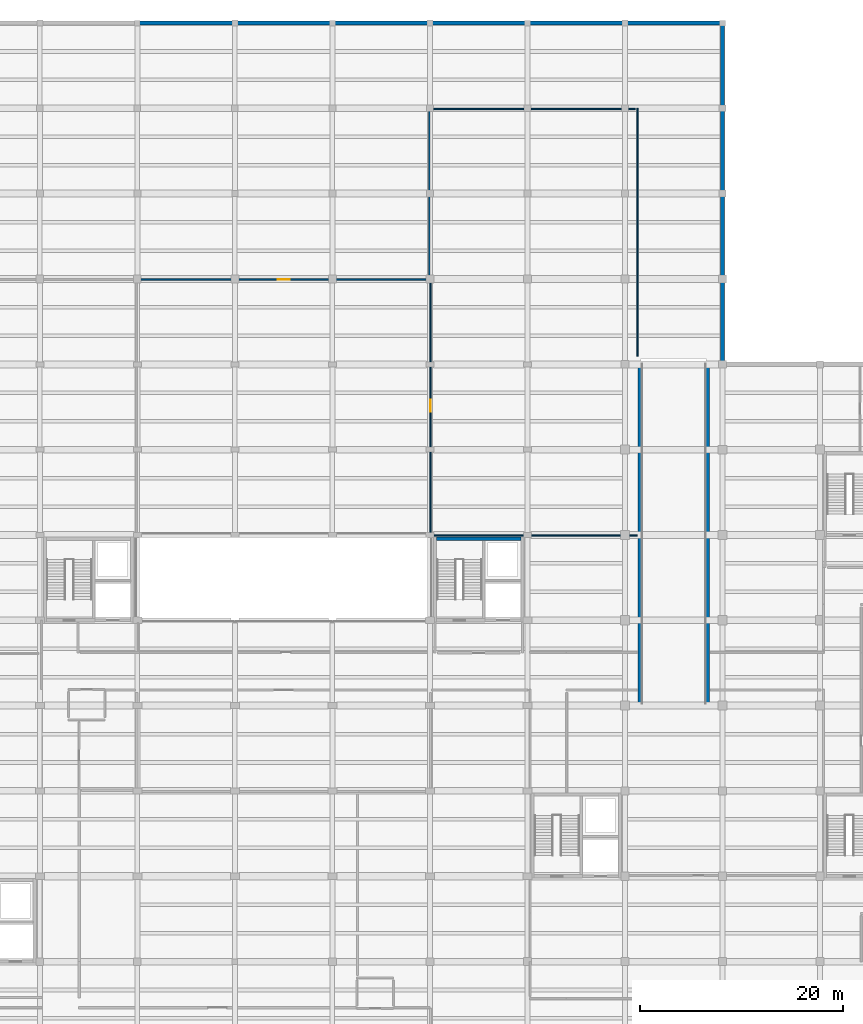
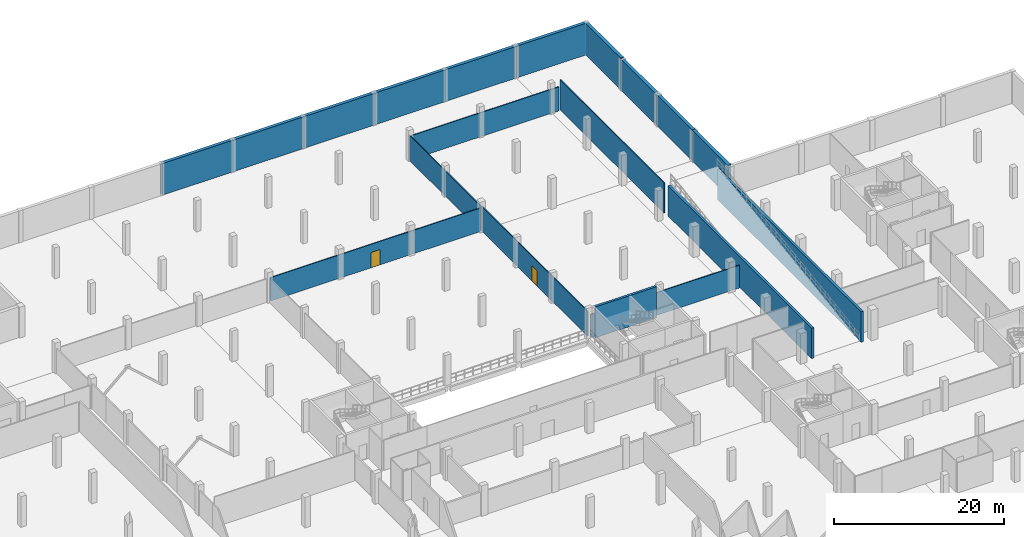
# One storey, part 22 of 30: 19 walls, 2 doors, 2 openings.
"""IFC4 building model written with IfcOpenShell, lengths in metres."""

import ifcopenshell
import ifcopenshell.guid

model = None  # the IFC model being written
_history = None  # IfcOwnerHistory: only IFC2X3 demands one
_inside = {}  # id of a spatial element -> (the spatial element, [elements in it])
_under = {}  # id of a project, library or spatial element -> (it, [spatial elements below it])
_declared = {}  # id of a project -> (the project, [libraries it declares])
_typed = {}  # id of a type object -> (the type object, [elements of that type])
_made_of = {}  # id of a material, layer set ... -> (it, [elements and type objects made of it])


def new_model(schema):
    """Start an empty IFC model of exactly this schema.

    Asked for "IFC4X3", IfcOpenShell would pick the latest addendum, in which some entities
    have other attributes; the version numbers below select the first issue.
    IFC2X3 requires an IfcOwnerHistory on every rooted entity: one is made here for all.
    """
    global model, _history
    if schema == "IFC4X3":
        model = ifcopenshell.file(schema_version=(4, 3, 0, 0))
    else:
        model = ifcopenshell.file(schema=schema)
    _inside.clear()
    _under.clear()
    _declared.clear()
    _typed.clear()
    _made_of.clear()
    _history = None
    if model.schema == "IFC2X3":
        org = make("IfcOrganization", Name="unknown")
        user = make(
            "IfcPersonAndOrganization",
            ThePerson=make("IfcPerson", FamilyName="unknown"),
            TheOrganization=org,
        )
        app = make(
            "IfcApplication",
            ApplicationDeveloper=org,
            Version="unknown",
            ApplicationFullName="unknown",
            ApplicationIdentifier="unknown",
        )
        _history = make(
            "IfcOwnerHistory",
            OwningUser=user,
            OwningApplication=app,
            ChangeAction="ADDED",
            CreationDate=0,
        )
    return model


def make(cls, **values):
    """One entity of the class cls with the attributes given. An attribute that is None is left unset."""
    return model.create_entity(
        cls, **{name: value for name, value in values.items() if value is not None}
    )


def rooted(cls, **values):
    """An entity with a GlobalId (a new one), such as an element, a storey or a relation."""
    return make(cls, GlobalId=ifcopenshell.guid.new(), OwnerHistory=_history, **values)


def si_unit(unit_type, name, prefix=None):
    """IfcSIUnit, for example si_unit("LENGTHUNIT", "METRE", prefix="MILLI")."""
    return make("IfcSIUnit", UnitType=unit_type, Prefix=prefix, Name=name)


def assignment(units):
    """IfcUnitAssignment: the units of a project."""
    return None if units is None else make("IfcUnitAssignment", Units=units)


def point(xyz):
    """IfcCartesianPoint."""
    return None if xyz is None else make("IfcCartesianPoint", Coordinates=xyz)


def direction(xyz):
    """IfcDirection."""
    return None if xyz is None else make("IfcDirection", DirectionRatios=xyz)


def frame(location, z_axis=None, x_axis=None):
    """IfcAxis2Placement3D, a coordinate frame: its origin and axes. An axis left out is left unset."""
    return make(
        "IfcAxis2Placement3D",
        Location=point(location),
        Axis=direction(z_axis),
        RefDirection=direction(x_axis),
    )


def frame_2d(location, x_axis=None):
    """IfcAxis2Placement2D, a coordinate frame in the plane: its origin and x axis."""
    return make(
        "IfcAxis2Placement2D", Location=point(location), RefDirection=direction(x_axis)
    )


def origin():
    """The frame at (0, 0, 0) with its axes left unset."""
    return frame((0.0, 0.0, 0.0))


def place(relative_to, where):
    """IfcLocalPlacement: puts the frame where relative to a parent placement (None: the world)."""
    return make(
        "IfcLocalPlacement", PlacementRelTo=relative_to, RelativePlacement=where
    )


def context(
    kind, dimensions, precision=None, world=None, true_north=None, identifier=None
):
    """IfcGeometricRepresentationContext, for example the 3D "Model" context."""
    return make(
        "IfcGeometricRepresentationContext",
        ContextIdentifier=identifier,
        ContextType=kind,
        CoordinateSpaceDimension=dimensions,
        Precision=precision,
        WorldCoordinateSystem=world,
        TrueNorth=true_north,
    )


def subcontext(parent, identifier, kind, view, scale=None):
    """IfcGeometricRepresentationSubContext, for example "Body" below "Model"."""
    return make(
        "IfcGeometricRepresentationSubContext",
        ContextIdentifier=identifier,
        ContextType=kind,
        ParentContext=parent,
        TargetScale=scale,
        TargetView=view,
    )


def project(units=None, contexts=None):
    """IfcProject with its units and contexts."""
    return rooted(
        "IfcProject",
        Name="project",
        RepresentationContexts=contexts,
        UnitsInContext=assignment(units),
    )


def spatial(cls, under=None, at=None, **own):
    """A site, building, storey or space (cls), placed at a placement, below another one or the project."""
    s = rooted(cls, ObjectPlacement=at, **own)
    if under is not None:
        _under.setdefault(under.id(), (under, []))[1].append(s)
    return s


def profile(cls, at=None, kind="AREA", **sizes):
    """A parametric profile (cls). Its sizes go by their IFC names, for example OverallWidth=200.0."""
    return make(cls, ProfileType=kind, Position=at, **sizes)


def rectangle(**sizes):
    """IfcRectangleProfileDef."""
    return profile("IfcRectangleProfileDef", **sizes)


def extrude(swept, where, along, depth):
    """IfcExtrudedAreaSolid: the profile swept, set in the frame where, extruded along a direction by depth."""
    return make(
        "IfcExtrudedAreaSolid",
        SweptArea=swept,
        Position=where,
        ExtrudedDirection=direction(along),
        Depth=depth,
    )


def shape(context_of_items, identifier, shape_type, items):
    """IfcShapeRepresentation: the items that make up one representation, for example the "Body"."""
    return make(
        "IfcShapeRepresentation",
        ContextOfItems=context_of_items,
        RepresentationIdentifier=identifier,
        RepresentationType=shape_type,
        Items=items,
    )


def material(Name=None, Category=None):
    """IfcMaterial."""
    return make("IfcMaterial", Name=Name, Category=Category)


def layer(
    of_material, thickness, ventilated=None, Name=None, Category=None, Priority=None
):
    """IfcMaterialLayer: one layer of a wall or slab, of a material (None: an air gap)."""
    return make(
        "IfcMaterialLayer",
        Material=of_material,
        LayerThickness=thickness,
        IsVentilated=ventilated,
        Name=Name,
        Category=Category,
        Priority=Priority,
    )


def layer_set(layers, Name=None):
    """IfcMaterialLayerSet."""
    return make("IfcMaterialLayerSet", MaterialLayers=layers, LayerSetName=Name)


def made_of(thing, what):
    """Note that an element or type object is made of a material, layer set ...; save() writes the relation."""
    if what is not None:
        _made_of.setdefault(what.id(), (what, []))[1].append(thing)
    return thing


def type_object(cls, material=None, **own):
    """A type object (cls), such as IfcWallType, which elements share."""
    return made_of(rooted(cls, **own), material)


def element(
    cls,
    number,
    at=None,
    inside=None,
    cuts=None,
    type_object=None,
    material=None,
    context=None,
    identifier="Body",
    shape_type=None,
    held_by="IfcProductDefinitionShape",
    body=None,
    shapes=None,
    **own,
):
    """One element of the class cls, such as IfcWall. Its Tag is "e" and its number.

    at: its placement. inside: the storey or other place that contains it. cuts: it is an
    opening in that element (IfcRelVoidsElement). A single representation is given by context,
    identifier, shape_type and body (its items); several are given by shapes. held_by: the class
    of the entity that holds the representations. save() writes the other relations.
    """
    e = rooted(cls, Tag="e%d" % number, ObjectPlacement=at, **own)
    if body is not None:
        shapes = [shape(context, identifier, shape_type, body)]
    if shapes is not None:
        e.Representation = make(held_by, Representations=shapes)
    if inside is not None:
        _inside.setdefault(inside.id(), (inside, []))[1].append(e)
    if cuts is not None:
        rooted(
            "IfcRelVoidsElement", RelatingBuildingElement=cuts, RelatedOpeningElement=e
        )
    if type_object is not None:
        _typed.setdefault(type_object.id(), (type_object, []))[1].append(e)
    return made_of(e, material)


def fill(opening, filler):
    """IfcRelFillsElement: the door or window that sits in an opening."""
    return rooted(
        "IfcRelFillsElement",
        RelatingOpeningElement=opening,
        RelatedBuildingElement=filler,
    )


def aggregate(whole, parts):
    """IfcRelAggregates: a whole, such as a stair, and the parts it consists of."""
    return rooted("IfcRelAggregates", RelatingObject=whole, RelatedObjects=parts)


def save(model, path):
    """Write the relations noted so far, then the file.

    IfcRelAggregates (storeys below a building ...), IfcRelContainedInSpatialStructure (elements
    in a storey), IfcRelDefinesByType, IfcRelAssociatesMaterial and IfcRelDeclares: one each for
    every whole, place, type object, material and project.
    """
    for whole, parts in _under.values():
        aggregate(whole, parts)
    for where, things in _inside.values():
        rooted(
            "IfcRelContainedInSpatialStructure",
            RelatedElements=things,
            RelatingStructure=where,
        )
    for kind, things in _typed.values():
        rooted("IfcRelDefinesByType", RelatedObjects=things, RelatingType=kind)
    for what, things in _made_of.values():
        rooted("IfcRelAssociatesMaterial", RelatedObjects=things, RelatingMaterial=what)
    for by, libraries in _declared.values():
        rooted("IfcRelDeclares", RelatingContext=by, RelatedDefinitions=libraries)
    model.write(path)


model = new_model("IFC4")

# Units and contexts
model_context = context("Model", 3, precision=1e-05, world=origin(), true_north=direction((0.0, 1.0)))
body_context = subcontext(model_context, "Body", "Model", "MODEL_VIEW")
ifc_project = project(units=[si_unit("LENGTHUNIT", "METRE"), si_unit("AREAUNIT", "SQUARE_METRE"), si_unit("VOLUMEUNIT", "CUBIC_METRE"), si_unit("PLANEANGLEUNIT", "RADIAN"), si_unit("MASSUNIT", "GRAM", prefix="KILO")], contexts=[model_context])

# Site, building, storey
site_placement = place(None, origin())
site = spatial("IfcSite", under=ifc_project, at=site_placement, CompositionType="ELEMENT")
building_placement = place(site_placement, origin())
building = spatial("IfcBuilding", under=site, at=building_placement, Name="Lornevale Opera House", CompositionType="ELEMENT")
storey_placement = place(building_placement, frame((0.0, 0.0, -4.800048828125)))
storey = spatial("IfcBuildingStorey", under=building, at=storey_placement, Name="B1", CompositionType="ELEMENT", Elevation=-4.800048828125)

# Walls
ifc_material_1 = material(Name="Concrete 40 MPa (CSA A23.1 C-1)", Category="concrete")
ifc_layer_1 = layer(ifc_material_1, 0.419921875)
ifc_layer_set_1 = layer_set([ifc_layer_1], Name="Concrete 40 MPa (CSA A23.1 C-1)")
wall_type_1 = type_object("IfcWallType", Name="Basement Retaining Wall 420", PredefinedType="USERDEFINED", material=ifc_layer_set_1)
wall_1_placement = place(storey_placement, frame((67.199951171875, 117.60009765625, 0.0), z_axis=(0.0, 0.0, 1.0), x_axis=(1.0, 0.0, 0.0)))
element("IfcWall", 1, at=wall_1_placement, inside=storey, type_object=wall_type_1, Name="Basement Escarpment Plinth Wall WL-EXT-0094", ObjectType="RETAINING WALL", PredefinedType="USERDEFINED", context=body_context, shape_type="SweptSolid", body=[
    extrude(rectangle(XDim=9.60009765625, YDim=0.419921875, at=frame_2d((4.800048828125, 0.0))), origin(), (0.0, 0.0, 1.0), 4.550048828125),
])
wall_2_placement = place(storey_placement, frame((76.800048828125, 117.60009765625, 0.0), z_axis=(0.0, 0.0, 1.0), x_axis=(1.0, 0.0, 0.0)))
element("IfcWall", 2, at=wall_2_placement, inside=storey, type_object=wall_type_1, Name="Basement Escarpment Plinth Wall WL-EXT-0096", ObjectType="RETAINING WALL", PredefinedType="USERDEFINED", context=body_context, shape_type="SweptSolid", body=[
    extrude(rectangle(XDim=9.599853515625, YDim=0.419921875, at=frame_2d((4.7998046875, 0.0))), origin(), (0.0, 0.0, 1.0), 4.550048828125),
])
for number, where, z_axis, x_axis, name in (
    (3, (86.39990234375, 117.60009765625, 0.0), (0.0, 0.0, 1.0), (1.0, 0.0, 0.0), "Basement Escarpment Plinth Wall WL-EXT-0098"),
    (4, (96.0, 117.60009765625, 0.0), (0.0, 0.0, 1.0), (1.0, 0.0, 0.0), "Basement Escarpment Plinth Wall WL-EXT-0100"),
):
    element("IfcWall", number, at=place(storey_placement, frame(where, z_axis=z_axis, x_axis=x_axis)), inside=storey, type_object=wall_type_1, Name=name, ObjectType="RETAINING WALL", PredefinedType="USERDEFINED", context=body_context, shape_type="SweptSolid", body=[
        extrude(rectangle(XDim=9.60009765625, YDim=0.419921875, at=frame_2d((4.800048828125, 0.0))), origin(), (0.0, 0.0, 1.0), 4.550048828125),
    ])
wall_3_placement = place(storey_placement, frame((105.60009765625, 117.60009765625, 0.0), z_axis=(0.0, 0.0, 1.0), x_axis=(1.0, 0.0, 0.0)))
element("IfcWall", 5, at=wall_3_placement, inside=storey, type_object=wall_type_1, Name="Basement Escarpment Plinth Wall WL-EXT-0102", ObjectType="RETAINING WALL", PredefinedType="USERDEFINED", context=body_context, shape_type="SweptSolid", body=[
    extrude(rectangle(XDim=9.599853515625, YDim=0.419921875, at=frame_2d((4.7998046875, 0.0))), origin(), (0.0, 0.0, 1.0), 4.550048828125),
])
wall_4_placement = place(storey_placement, frame((124.800048828125, 92.39990234375, 0.0), z_axis=(0.0, 0.0, 1.0), x_axis=(0.0, -1.0, 0.0)))
element("IfcWall", 6, at=wall_4_placement, inside=storey, type_object=wall_type_1, Name="Basement Escarpment Plinth Wall WL-EXT-0105", ObjectType="RETAINING WALL", PredefinedType="USERDEFINED", context=body_context, shape_type="SweptSolid", body=[
    extrude(rectangle(XDim=8.39990234375, YDim=0.419921875, at=frame_2d((4.199951171875, 0.0))), origin(), (0.0, 0.0, 1.0), 4.43994140625),
])
wall_5_placement = place(storey_placement, frame((124.800048828125, 100.800048828125, 0.0), z_axis=(0.0, 0.0, 1.0), x_axis=(0.0, -1.0, 0.0)))
element("IfcWall", 7, at=wall_5_placement, inside=storey, type_object=wall_type_1, Name="Basement Escarpment Plinth Wall WL-EXT-0106", ObjectType="RETAINING WALL", PredefinedType="USERDEFINED", context=body_context, shape_type="SweptSolid", body=[
    extrude(rectangle(XDim=8.400146484375, YDim=0.419921875, at=frame_2d((4.2001953125, 0.0))), origin(), (0.0, 0.0, 1.0), 4.43994140625),
])
wall_6_placement = place(storey_placement, frame((124.800048828125, 109.199951171875, 0.0), z_axis=(0.0, 0.0, 1.0), x_axis=(0.0, -1.0, 0.0)))
element("IfcWall", 8, at=wall_6_placement, inside=storey, type_object=wall_type_1, Name="Basement Escarpment Plinth Wall WL-EXT-0107", ObjectType="RETAINING WALL", PredefinedType="USERDEFINED", context=body_context, shape_type="SweptSolid", body=[
    extrude(rectangle(XDim=8.39990234375, YDim=0.419921875, at=frame_2d((4.199951171875, 0.0))), origin(), (0.0, 0.0, 1.0), 4.43994140625),
])
wall_7_placement = place(storey_placement, frame((115.199951171875, 117.60009765625, 0.0), z_axis=(0.0, 0.0, 1.0), x_axis=(1.0, 0.0, 0.0)))
element("IfcWall", 9, at=wall_7_placement, inside=storey, type_object=wall_type_1, Name="Basement Escarpment Plinth Wall WL-EXT-0108", ObjectType="RETAINING WALL", PredefinedType="USERDEFINED", context=body_context, shape_type="SweptSolid", body=[
    extrude(rectangle(XDim=9.60009765625, YDim=0.419921875, at=frame_2d((4.800048828125, 0.0))), origin(), (0.0, 0.0, 1.0), 4.550048828125),
])
wall_8_placement = place(storey_placement, frame((124.800048828125, 117.60009765625, 0.0), z_axis=(0.0, 0.0, 1.0), x_axis=(0.0, -1.0, 0.0)))
element("IfcWall", 10, at=wall_8_placement, inside=storey, type_object=wall_type_1, Name="Basement Escarpment Plinth Wall WL-EXT-0109", ObjectType="RETAINING WALL", PredefinedType="USERDEFINED", context=body_context, shape_type="SweptSolid", body=[
    extrude(rectangle(XDim=8.400146484375, YDim=0.419921875, at=frame_2d((4.2001953125, 0.0))), origin(), (0.0, 0.0, 1.0), 4.550048828125),
])
ifc_layer_2 = layer(ifc_material_1, 0.320068359375)
ifc_layer_set_2 = layer_set([ifc_layer_2], Name="Concrete 40 MPa (CSA A23.1 C-1)")
wall_type_2 = type_object("IfcWallType", Name="Core Shear Wall 320", PredefinedType="SHEAR", material=ifc_layer_set_2)
wall_9_placement = place(storey_placement, frame((104.93994140625, 66.840087890625, 0.0), z_axis=(0.0, 0.0, 1.0), x_axis=(-1.0, 0.0, 0.0)))
element("IfcWall", 11, at=wall_9_placement, inside=storey, type_object=wall_type_2, Name="Stagehouse Firefighter Core West Core Shear Wall 320 WL-COR-0206", PredefinedType="SHEAR", context=body_context, shape_type="SweptSolid", body=[
    extrude(rectangle(XDim=8.280029296875, YDim=0.320068359375, at=frame_2d((4.14013671875, 0.0))), origin(), (0.0, 0.0, 1.0), 4.43994140625),
])
for number, where, z_axis, x_axis, name in (
    (12, (116.64990234375, 50.300048828125, 0.0), (0.0, 0.0, 1.0), (0.0, 1.0, 0.0), "Vehicle Ramp Shaft Wall B1 0361"),
    (13, (123.35009765625, 50.300048828125, 0.0), (0.0, 0.0, 1.0), (0.0, 1.0, 0.0), "Vehicle Ramp Shaft Wall B1 0362"),
):
    element("IfcWall", number, at=place(storey_placement, frame(where, z_axis=z_axis, x_axis=x_axis)), inside=storey, type_object=wall_type_2, Name=name, PredefinedType="SHEAR", context=body_context, shape_type="SweptSolid", body=[
        extrude(rectangle(XDim=33.699951171875, YDim=0.320068359375, at=frame_2d((16.85009765625, 0.0))), origin(), (0.0, 0.0, 1.0), 4.360107421875),
    ])

# Wall, opening, door
ifc_material_2 = material(Name="Acoustic Mineral-Core Gypsum Partition", Category="gypsum")
ifc_layer_3 = layer(ifc_material_2, 0.125)
ifc_layer_set_3 = layer_set([ifc_layer_3], Name="Acoustic Mineral-Core Gypsum Partition")
wall_type_3 = type_object("IfcWallType", Name="Dressing Suite Partition 125", PredefinedType="PARTITIONING", material=ifc_layer_set_3)
wall_10_placement = place(storey_placement, frame((96.06005859375, 67.419921875, 0.0), z_axis=(0.0, 0.0, 1.0), x_axis=(0.0, 1.0, 0.0)))
wall_10 = element("IfcWall", 14, at=wall_10_placement, inside=storey, type_object=wall_type_3, Name="B1 Partition WL-INT-0647", PredefinedType="PARTITIONING", context=body_context, shape_type="SweptSolid", body=[
    extrude(rectangle(XDim=24.97998046875, YDim=0.125, at=frame_2d((12.489990234375, 0.0))), origin(), (0.0, 0.0, 1.0), 3.56005859375),
])
opening_1_placement = place(wall_10_placement, frame((11.889892578125, 0.0, 0.0)))
opening_1 = element("IfcOpeningElement", 15, at=opening_1_placement, cuts=wall_10, Name="Opening DR-T24", PredefinedType="OPENING", context=body_context, shape_type="SweptSolid", body=[
    extrude(rectangle(XDim=1.199951171875, YDim=2.199951171875, at=frame_2d((0.60009765625, 1.10009765625))), frame((0.0, 0.072509765625, 0.0), z_axis=(0.0, -1.0, 0.0), x_axis=(1.0, 0.0, 0.0)), (0.0, 0.0, 1.0), 0.14501953125),
])
ifc_material_3 = material(Name="Painted Hollow Metal Door Steel", Category="steel")
ifc_layer_4 = layer(ifc_material_3, 2.199951171875)
ifc_layer_set_4 = layer_set([ifc_layer_4], Name="Painted Hollow Metal Door Steel")
door_type = type_object("IfcDoorType", Name="Plant Room Rated Door R 1200x2200", OperationType="NOTDEFINED", PredefinedType="DOOR", material=ifc_layer_set_4)
door_1_placement = place(opening_1_placement, origin())
door_1 = element("IfcDoor", 16, at=door_1_placement, inside=storey, type_object=door_type, Name="Performer Accessible Parking Deck Door", OperationType="SINGLE_SWING_RIGHT", OverallHeight=2.199951171875, OverallWidth=1.199951171875, PredefinedType="DOOR", context=body_context, shape_type="SweptSolid", body=[
    extrude(rectangle(XDim=1.199951171875, YDim=2.199951171875, at=frame_2d((0.60009765625, 1.10009765625))), frame((0.0, 0.02490234375, 0.0), z_axis=(0.0, -1.0, 0.0), x_axis=(1.0, 0.0, 0.0)), (0.0, 0.0, 1.0), 0.050048828125),
])
fill(opening_1, door_1)

wall_11_placement = place(storey_placement, frame((67.389892578125, 92.340087890625, 0.0), z_axis=(0.0, 0.0, 1.0), x_axis=(1.0, 0.0, 0.0)))
wall_11 = element("IfcWall", 17, at=wall_11_placement, inside=storey, type_object=wall_type_3, Name="B1 Partition WL-INT-0648", PredefinedType="PARTITIONING", context=body_context, shape_type="SweptSolid", body=[
    extrude(rectangle(XDim=28.420166015625, YDim=0.125, at=frame_2d((14.2099609375, 0.0))), origin(), (0.0, 0.0, 1.0), 3.360107421875),
])
opening_2_placement = place(wall_11_placement, frame((13.610107421875, 0.0, 0.0)))
opening_2 = element("IfcOpeningElement", 18, at=opening_2_placement, cuts=wall_11, Name="Opening DR-T24", PredefinedType="OPENING", context=body_context, shape_type="SweptSolid", body=[
    extrude(rectangle(XDim=1.199951171875, YDim=2.199951171875, at=frame_2d((0.60009765625, 1.10009765625))), frame((0.0, 0.072509765625, 0.0), z_axis=(0.0, -1.0, 0.0), x_axis=(1.0, 0.0, 0.0)), (0.0, 0.0, 1.0), 0.14501953125),
])
door_2_placement = place(opening_2_placement, origin())
door_2 = element("IfcDoor", 19, at=door_2_placement, inside=storey, type_object=door_type, Name="Instrument & Percussion Storage Vault Door", OperationType="SINGLE_SWING_RIGHT", OverallHeight=2.199951171875, OverallWidth=1.199951171875, PredefinedType="DOOR", context=body_context, shape_type="SweptSolid", body=[
    extrude(rectangle(XDim=1.199951171875, YDim=2.199951171875, at=frame_2d((0.60009765625, 1.10009765625))), frame((0.0, 0.02490234375, 0.0), z_axis=(0.0, -1.0, 0.0), x_axis=(1.0, 0.0, 0.0)), (0.0, 0.0, 1.0), 0.050048828125),
])
fill(opening_2, door_2)

# Walls
wall_12_placement = place(storey_placement, frame((116.43994140625, 84.800048828125, 0.0), z_axis=(0.0, 0.0, 1.0), x_axis=(0.0, 1.0, 0.0)))
element("IfcWall", 20, at=wall_12_placement, inside=storey, type_object=wall_type_3, Name="B1 Partition WL-INT-0660", PredefinedType="PARTITIONING", context=body_context, shape_type="SweptSolid", body=[
    extrude(rectangle(XDim=24.39990234375, YDim=0.125, at=frame_2d((12.199951171875, 0.0))), origin(), (0.0, 0.0, 1.0), 4.330078125),
])
wall_13_placement = place(storey_placement, frame((95.93994140625, 92.4599609375, 0.0), z_axis=(0.0, 0.0, 1.0), x_axis=(0.0, 1.0, 0.0)))
element("IfcWall", 21, at=wall_13_placement, inside=storey, type_object=wall_type_3, Name="B1 Partition WL-INT-0661", PredefinedType="PARTITIONING", context=body_context, shape_type="SweptSolid", body=[
    extrude(rectangle(XDim=16.739990234375, YDim=0.125, at=frame_2d((8.3701171875, 0.0))), origin(), (0.0, 0.0, 1.0), 3.610107421875),
])
wall_14_placement = place(storey_placement, frame((96.18994140625, 109.139892578125, 0.0), z_axis=(0.0, 0.0, 1.0), x_axis=(1.0, 0.0, 0.0)))
element("IfcWall", 22, at=wall_14_placement, inside=storey, type_object=wall_type_3, Name="B1 Partition WL-INT-0662", PredefinedType="PARTITIONING", context=body_context, shape_type="SweptSolid", body=[
    extrude(rectangle(XDim=20.0, YDim=0.125, at=frame_2d((10.0, 0.0))), origin(), (0.0, 0.0, 1.0), 3.43994140625),
])
wall_15_placement = place(storey_placement, frame((96.219970703125, 67.139892578125, 0.0), z_axis=(0.0, 0.0, 1.0), x_axis=(1.0, 0.0, 0.0)))
element("IfcWall", 23, at=wall_15_placement, inside=storey, type_object=wall_type_3, Name="B1 Partition WL-INT-0663", PredefinedType="PARTITIONING", context=body_context, shape_type="SweptSolid", body=[
    extrude(rectangle(XDim=20.179931640625, YDim=0.125, at=frame_2d((10.08984375, 0.0))), origin(), (0.0, 0.0, 1.0), 3.260009765625),
])

save(model, "model.ifc")
